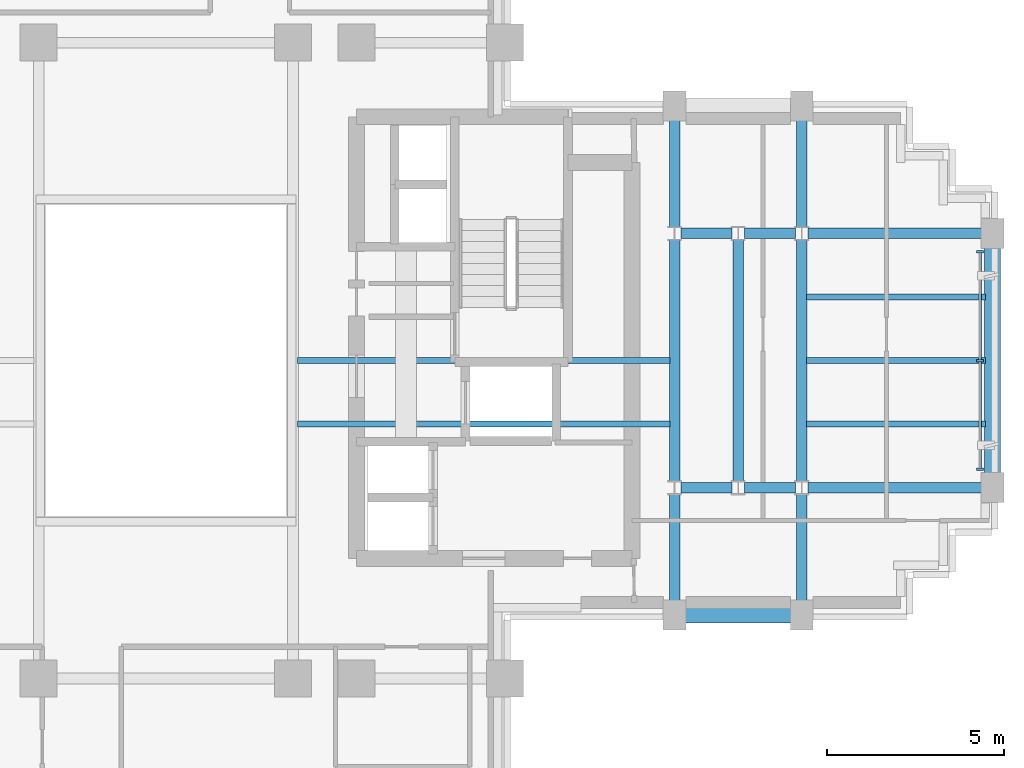
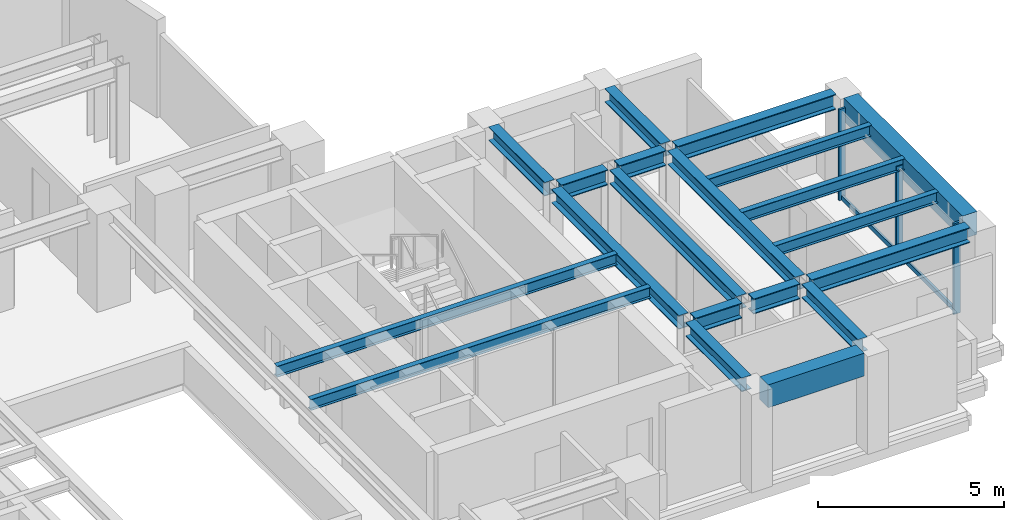
# One storey, part 5 of 14: 20 beams, 5 members, 1 element without a shape of its own.
"""IFC4 building model written with IfcOpenShell, lengths in metres."""

from ifc_helpers import new_model, si_unit, direction, frame, origin, origin_2d, place, context, subcontext, project, spatial, rectangle, i_section, extrude, source, transform, mapped, material, material_profile, profile_set, type_object, element, aggregate, save


model = new_model("IFC4")

# Units and contexts
model_context = context("Model", 3, precision=1e-05, world=origin(), true_north=direction((0.0, 1.0)))
body_context = subcontext(model_context, "Body", "Model", "MODEL_VIEW")
ifc_project = project(units=[si_unit("LENGTHUNIT", "METRE"), si_unit("AREAUNIT", "SQUARE_METRE"), si_unit("VOLUMEUNIT", "CUBIC_METRE"), si_unit("PLANEANGLEUNIT", "RADIAN"), si_unit("MASSUNIT", "GRAM", prefix="KILO")], contexts=[model_context])

# Site, building, storey
site_placement = place(None, origin())
site = spatial("IfcSite", under=ifc_project, at=site_placement, CompositionType="ELEMENT")
building_placement = place(site_placement, origin())
building = spatial("IfcBuilding", under=site, at=building_placement, Name="Keilestroom Media Tower", CompositionType="ELEMENT")
storey_placement = place(building_placement, frame((0.0, 0.0, 127.800048828125)))
storey = spatial("IfcBuildingStorey", under=building, at=storey_placement, Name="L34", CompositionType="ELEMENT", Elevation=127.800048828125)

# Beams
ifc_material_1 = material(Name="Steel S355", Category="steel")
ifc_material_profile_1 = material_profile(ifc_material_1, i_section(OverallWidth=0.169921875, OverallDepth=0.360107421875, WebThickness=0.008056640625, FlangeThickness=0.0126953125, at=origin_2d()), Name="IPE 360")
ifc_profile_set_1 = profile_set([ifc_material_profile_1], Name="Steel S355")
beam_type_1 = type_object("IfcBeamType", Name="Secondary-Floor-Joist-IPE-360", PredefinedType="JOIST", material=ifc_profile_set_1)
shared_shape_1 = source(origin(), body_context, "Body", "SweptSolid", [
    extrude(i_section(OverallWidth=0.169921875, OverallDepth=0.360107421875, WebThickness=0.008056640625, FlangeThickness=0.0126953125, at=origin_2d()), origin(), (0.0, 0.0, 1.0), 10.5400390625),
])
for number, where, z_axis, x_axis, name in (
    (1, (3.72998046875, -1.800048828125, 3.02001953125), (1.0, 0.0, 0.0), (0.0, 1.0, 0.0), "L34 Beam BJ-5 JST-L34-074"),
    (2, (3.72998046875, 0.0, 3.02001953125), (1.0, 0.0, 0.0), (0.0, 1.0, 0.0), "L34 Beam BJ-5 JST-L34-079"),
):
    element("IfcBeam", number, at=place(storey_placement, frame(where, z_axis=z_axis, x_axis=x_axis)), inside=storey, type_object=beam_type_1, Name=name, PredefinedType="JOIST", context=body_context, shape_type="MappedRepresentation", body=[
        mapped(shared_shape_1, transform((0.0, 0.0, 0.0), x_axis=(1.0, 0.0, 0.0), y_axis=(0.0, 1.0, 0.0), z_axis=(0.0, 0.0, 1.0), scale=1.0)),
    ])
ifc_material_2 = material(Name="Precast concrete C40/50", Category="concrete")
ifc_material_profile_2 = material_profile(ifc_material_2, rectangle(XDim=0.449951171875, YDim=0.75, at=origin_2d()), Name="PC 450x750")
ifc_profile_set_2 = profile_set([ifc_material_profile_2], Name="Precast concrete C40/50")
beam_type_2 = type_object("IfcBeamType", Name="Perimeter-Spandrel-Beam-PC-450x750", PredefinedType="SPANDREL", material=ifc_profile_set_2)
shared_shape_2 = source(origin(), body_context, "Body", "SweptSolid", [
    extrude(rectangle(XDim=0.449951171875, YDim=0.75, at=origin_2d()), origin(), (0.0, 0.0, 1.0), 2.989990234375),
])
beam_1_placement = place(storey_placement, frame((14.705078125, -7.199951171875, 2.824951171875), z_axis=(1.0, 0.0, 0.0), x_axis=(0.0, 1.0, 0.0)))
element("IfcBeam", 3, at=beam_1_placement, inside=storey, type_object=beam_type_2, Name="L34 Beam SPB-1 BM-L34-EW-013", PredefinedType="SPANDREL", context=body_context, shape_type="MappedRepresentation", body=[
    mapped(shared_shape_2, transform((0.0, 0.0, 0.0), x_axis=(1.0, 0.0, 0.0), y_axis=(0.0, 1.0, 0.0), z_axis=(0.0, 0.0, 1.0), scale=1.0)),
])
ifc_material_profile_3 = material_profile(ifc_material_1, i_section(OverallWidth=0.300048828125, OverallDepth=0.5, WebThickness=0.012451171875, FlangeThickness=0.028076171875, at=origin_2d()), Name="HEB 500")
ifc_profile_set_3 = profile_set([ifc_material_profile_3], Name="Steel S355")
beam_type_3 = type_object("IfcBeamType", Name="Primary-Structural-Girder-HEB-500", PredefinedType="BEAM", material=ifc_profile_set_3)
shared_shape_3 = source(origin(), body_context, "Body", "SweptSolid", [
    extrude(i_section(OverallWidth=0.300048828125, OverallDepth=0.5, WebThickness=0.012451171875, FlangeThickness=0.028076171875, at=origin_2d()), origin(), (0.0, 0.0, 1.0), 4.91455078125),
])
for number, where, z_axis, x_axis, name in (
    (4, (18.180419921875, -3.60009765625, 2.949951171875), (1.0, 0.0, 0.0), (0.0, 1.0, 0.0), "L34 Beam BG-6 BM-L34-EW-019"),
    (5, (18.180419921875, 3.60009765625, 2.949951171875), (1.0, 0.0, 0.0), (0.0, 1.0, 0.0), "L34 Beam BG-6 BM-L34-EW-025"),
):
    element("IfcBeam", number, at=place(storey_placement, frame(where, z_axis=z_axis, x_axis=x_axis)), inside=storey, type_object=beam_type_3, Name=name, PredefinedType="BEAM", context=body_context, shape_type="MappedRepresentation", body=[
        mapped(shared_shape_3, transform((0.0, 0.0, 0.0), x_axis=(1.0, 0.0, 0.0), y_axis=(0.0, 1.0, 0.0), z_axis=(0.0, 0.0, 1.0), scale=1.0)),
    ])
shared_shape_4 = source(origin(), body_context, "Body", "SweptSolid", [
    extrude(i_section(OverallWidth=0.300048828125, OverallDepth=0.5, WebThickness=0.012451171875, FlangeThickness=0.028076171875, at=origin_2d()), origin(), (0.0, 0.0, 1.0), 1.43896484375),
])
for number, where, z_axis, x_axis, name in (
    (6, (14.58056640625, -3.60009765625, 2.949951171875), (1.0, 0.0, 0.0), (0.0, 1.0, 0.0), "L34 Beam BG-6 BM-L34-EW-017"),
    (7, (16.380615234375, -3.60009765625, 2.949951171875), (1.0, 0.0, 0.0), (0.0, 1.0, 0.0), "L34 Beam BG-6 BM-L34-EW-018"),
    (8, (14.58056640625, 3.60009765625, 2.949951171875), (1.0, 0.0, 0.0), (0.0, 1.0, 0.0), "L34 Beam BG-6 BM-L34-EW-023"),
    (9, (16.380615234375, 3.60009765625, 2.949951171875), (1.0, 0.0, 0.0), (0.0, 1.0, 0.0), "L34 Beam BG-6 BM-L34-EW-024"),
):
    element("IfcBeam", number, at=place(storey_placement, frame(where, z_axis=z_axis, x_axis=x_axis)), inside=storey, type_object=beam_type_3, Name=name, PredefinedType="BEAM", context=body_context, shape_type="MappedRepresentation", body=[
        mapped(shared_shape_4, transform((0.0, 0.0, 0.0), x_axis=(1.0, 0.0, 0.0), y_axis=(0.0, 1.0, 0.0), z_axis=(0.0, 0.0, 1.0), scale=1.0)),
    ])
shared_shape_5 = source(origin(), body_context, "Body", "SweptSolid", [
    extrude(rectangle(XDim=0.449951171875, YDim=0.75, at=origin_2d()), origin(), (0.0, 0.0, 1.0), 6.39013671875),
])
beam_2_placement = place(storey_placement, frame((23.39990234375, -3.195068359375, 2.824951171875), z_axis=(0.0, 1.0, 0.0), x_axis=(-1.0, 0.0, 0.0)))
element("IfcBeam", 10, at=beam_2_placement, inside=storey, type_object=beam_type_2, Name="L34 Beam SPB-1 BM-L34-NS-068", PredefinedType="SPANDREL", context=body_context, shape_type="MappedRepresentation", body=[
    mapped(shared_shape_5, transform((0.0, 0.0, 0.0), x_axis=(1.0, 0.0, 0.0), y_axis=(0.0, 1.0, 0.0), z_axis=(0.0, 0.0, 1.0), scale=1.0)),
])
ifc_material_profile_4 = material_profile(ifc_material_1, i_section(OverallWidth=0.300048828125, OverallDepth=0.449951171875, WebThickness=0.011962890625, FlangeThickness=0.02587890625, at=origin_2d()), Name="HEB 450")
ifc_profile_set_4 = profile_set([ifc_material_profile_4], Name="Steel S355")
beam_type_4 = type_object("IfcBeamType", Name="Primary-Structural-Girder-HEB-450", PredefinedType="BEAM", material=ifc_profile_set_4)
shared_shape_6 = source(origin(), body_context, "Body", "SweptSolid", [
    extrude(i_section(OverallWidth=0.300048828125, OverallDepth=0.449951171875, WebThickness=0.011962890625, FlangeThickness=0.02587890625, at=origin_2d()), origin(), (0.0, 0.0, 1.0), 3.015380859375),
])
for number, where, z_axis, x_axis, name in (
    (11, (14.39990234375, -6.794921875, 2.974853515625), (0.0, 1.0, 0.0), (-1.0, 0.0, 0.0), "L34 Beam BG-7 BM-L34-NS-061"),
    (12, (14.39990234375, 3.779541015625, 2.974853515625), (0.0, 1.0, 0.0), (-1.0, 0.0, 0.0), "L34 Beam BG-7 BM-L34-NS-063"),
    (13, (18.0, -6.794921875, 2.974853515625), (0.0, 1.0, 0.0), (-1.0, 0.0, 0.0), "L34 Beam BG-7 BM-L34-NS-065"),
    (14, (18.0, 3.779541015625, 2.974853515625), (0.0, 1.0, 0.0), (-1.0, 0.0, 0.0), "L34 Beam BG-7 BM-L34-NS-067"),
):
    element("IfcBeam", number, at=place(storey_placement, frame(where, z_axis=z_axis, x_axis=x_axis)), inside=storey, type_object=beam_type_4, Name=name, PredefinedType="BEAM", context=body_context, shape_type="MappedRepresentation", body=[
        mapped(shared_shape_6, transform((0.0, 0.0, 0.0), x_axis=(1.0, 0.0, 0.0), y_axis=(0.0, 1.0, 0.0), z_axis=(0.0, 0.0, 1.0), scale=1.0)),
    ])
shared_shape_7 = source(origin(), body_context, "Body", "SweptSolid", [
    extrude(i_section(OverallWidth=0.300048828125, OverallDepth=0.449951171875, WebThickness=0.011962890625, FlangeThickness=0.02587890625, at=origin_2d()), origin(), (0.0, 0.0, 1.0), 6.8408203125),
])
for number, where, z_axis, x_axis, name in (
    (15, (14.39990234375, -3.42041015625, 2.974853515625), (0.0, 1.0, 0.0), (-1.0, 0.0, 0.0), "L34 Beam BG-7 BM-L34-NS-062"),
    (16, (16.199951171875, -3.42041015625, 2.974853515625), (0.0, 1.0, 0.0), (-1.0, 0.0, 0.0), "L34 Beam BG-7 BM-L34-NS-064"),
    (17, (18.0, -3.42041015625, 2.974853515625), (0.0, 1.0, 0.0), (-1.0, 0.0, 0.0), "L34 Beam BG-7 BM-L34-NS-066"),
):
    element("IfcBeam", number, at=place(storey_placement, frame(where, z_axis=z_axis, x_axis=x_axis)), inside=storey, type_object=beam_type_4, Name=name, PredefinedType="BEAM", context=body_context, shape_type="MappedRepresentation", body=[
        mapped(shared_shape_7, transform((0.0, 0.0, 0.0), x_axis=(1.0, 0.0, 0.0), y_axis=(0.0, 1.0, 0.0), z_axis=(0.0, 0.0, 1.0), scale=1.0)),
    ])
shared_shape_8 = source(origin(), body_context, "Body", "SweptSolid", [
    extrude(i_section(OverallWidth=0.169921875, OverallDepth=0.360107421875, WebThickness=0.008056640625, FlangeThickness=0.0126953125, at=origin_2d()), origin(), (0.0, 0.0, 1.0), 5.065185546875),
])
for number, where, z_axis, x_axis, name in (
    (18, (18.1298828125, -1.800048828125, 3.02001953125), (1.0, 0.0, 0.0), (0.0, 1.0, 0.0), "L34 Beam BJ-5 JST-L34-075"),
    (19, (18.1298828125, 0.0, 3.02001953125), (1.0, 0.0, 0.0), (0.0, 1.0, 0.0), "L34 Beam BJ-5 JST-L34-080"),
    (20, (18.1298828125, 1.800048828125, 3.02001953125), (1.0, 0.0, 0.0), (0.0, 1.0, 0.0), "L34 Beam BJ-5 JST-L34-085"),
):
    element("IfcBeam", number, at=place(storey_placement, frame(where, z_axis=z_axis, x_axis=x_axis)), inside=storey, type_object=beam_type_1, Name=name, PredefinedType="JOIST", context=body_context, shape_type="MappedRepresentation", body=[
        mapped(shared_shape_8, transform((0.0, 0.0, 0.0), x_axis=(1.0, 0.0, 0.0), y_axis=(0.0, 1.0, 0.0), z_axis=(0.0, 0.0, 1.0), scale=1.0)),
    ])

# Curtain wall, members
ifc_material_3 = material(Name="Anodised Aluminium Alloy", Category="aluminium")
curtain_wall_type = type_object("IfcCurtainWallType", Name="Unitised-Curtain-Wall-CW-2", PredefinedType="NOTDEFINED", material=ifc_material_3)
curtain_wall_placement = place(storey_placement, origin())
curtain_wall = element("IfcCurtainWall", 21, at=curtain_wall_placement, inside=storey, type_object=curtain_wall_type, Name="L34 Curtain Wall CW-2 CW-L34-E-1", PredefinedType="NOTDEFINED")
ifc_material_profile_5 = material_profile(ifc_material_3, rectangle(XDim=0.070068359375, YDim=0.199951171875, at=origin_2d()), Name="ALU MULLION 70x200")
ifc_profile_set_5 = profile_set([ifc_material_profile_5], Name="Anodised Aluminium Alloy")
member_type_1 = type_object("IfcMemberType", Name="Curtain-Wall-Mullion-CW-2", PredefinedType="MULLION", material=ifc_profile_set_5)
shared_shape_9 = source(origin(), body_context, "Body", "SweptSolid", [
    extrude(rectangle(XDim=0.070068359375, YDim=0.199951171875, at=origin_2d()), origin(), (0.0, 0.0, 1.0), 2.97998046875),
])
member_1_placement = place(storey_placement, frame((23.050048828125, -3.080078125, 0.0), z_axis=(0.0, 0.0, 1.0), x_axis=(0.0, 1.0, 0.0)))
member_1 = element("IfcMember", 22, at=member_1_placement, type_object=member_type_1, Name="CW-2 Mullion 00", PredefinedType="MULLION", context=body_context, shape_type="MappedRepresentation", body=[
    mapped(shared_shape_9, transform((0.0, 0.0, 0.0), x_axis=(1.0, 0.0, 0.0), y_axis=(0.0, 1.0, 0.0), z_axis=(0.0, 0.0, 1.0), scale=1.0)),
])
member_2_placement = place(storey_placement, frame((23.050048828125, 0.0, 0.0), z_axis=(0.0, 0.0, 1.0), x_axis=(0.0, 1.0, 0.0)))
member_2 = element("IfcMember", 23, at=member_2_placement, type_object=member_type_1, Name="CW-2 Mullion 01", PredefinedType="MULLION", context=body_context, shape_type="MappedRepresentation", body=[
    mapped(shared_shape_9, transform((0.0, 0.0, 0.0), x_axis=(1.0, 0.0, 0.0), y_axis=(0.0, 1.0, 0.0), z_axis=(0.0, 0.0, 1.0), scale=1.0)),
])
member_3_placement = place(storey_placement, frame((23.050048828125, 3.080078125, 0.0), z_axis=(0.0, 0.0, 1.0), x_axis=(0.0, 1.0, 0.0)))
member_3 = element("IfcMember", 24, at=member_3_placement, type_object=member_type_1, Name="CW-2 Mullion 02", PredefinedType="MULLION", context=body_context, shape_type="MappedRepresentation", body=[
    mapped(shared_shape_9, transform((0.0, 0.0, 0.0), x_axis=(1.0, 0.0, 0.0), y_axis=(0.0, 1.0, 0.0), z_axis=(0.0, 0.0, 1.0), scale=1.0)),
])
ifc_material_profile_6 = material_profile(ifc_material_3, rectangle(XDim=0.06494140625, YDim=0.14990234375, at=origin_2d()), Name="ALU TRANSOM 65x150")
ifc_profile_set_6 = profile_set([ifc_material_profile_6], Name="Anodised Aluminium Alloy")
member_type_2 = type_object("IfcMemberType", Name="Curtain-Wall-Transom-CW-2", PredefinedType="USERDEFINED", material=ifc_profile_set_6)
shared_shape_10 = source(origin(), body_context, "Body", "SweptSolid", [
    extrude(rectangle(XDim=0.06494140625, YDim=0.14990234375, at=origin_2d()), origin(), (0.0, 0.0, 1.0), 3.01416015625),
])
member_4_placement = place(storey_placement, frame((23.050048828125, -3.047119140625, 0.074951171875), z_axis=(0.0, 1.0, 0.0), x_axis=(-1.0, 0.0, 0.0)))
member_4 = element("IfcMember", 25, at=member_4_placement, type_object=member_type_2, Name="CW-2 Transom 00.1", ObjectType="TRANSOM", PredefinedType="USERDEFINED", context=body_context, shape_type="MappedRepresentation", body=[
    mapped(shared_shape_10, transform((0.0, 0.0, 0.0), x_axis=(1.0, 0.0, 0.0), y_axis=(0.0, 1.0, 0.0), z_axis=(0.0, 0.0, 1.0), scale=1.0)),
])
member_5_placement = place(storey_placement, frame((23.050048828125, 0.032958984375, 0.074951171875), z_axis=(0.0, 1.0, 0.0), x_axis=(-1.0, 0.0, 0.0)))
member_5 = element("IfcMember", 26, at=member_5_placement, type_object=member_type_2, Name="CW-2 Transom 01.1", ObjectType="TRANSOM", PredefinedType="USERDEFINED", context=body_context, shape_type="MappedRepresentation", body=[
    mapped(shared_shape_10, transform((0.0, 0.0, 0.0), x_axis=(1.0, 0.0, 0.0), y_axis=(0.0, 1.0, 0.0), z_axis=(0.0, 0.0, 1.0), scale=1.0)),
])
aggregate(curtain_wall, [member_1, member_2, member_3, member_4, member_5])

save(model, "model.ifc")
